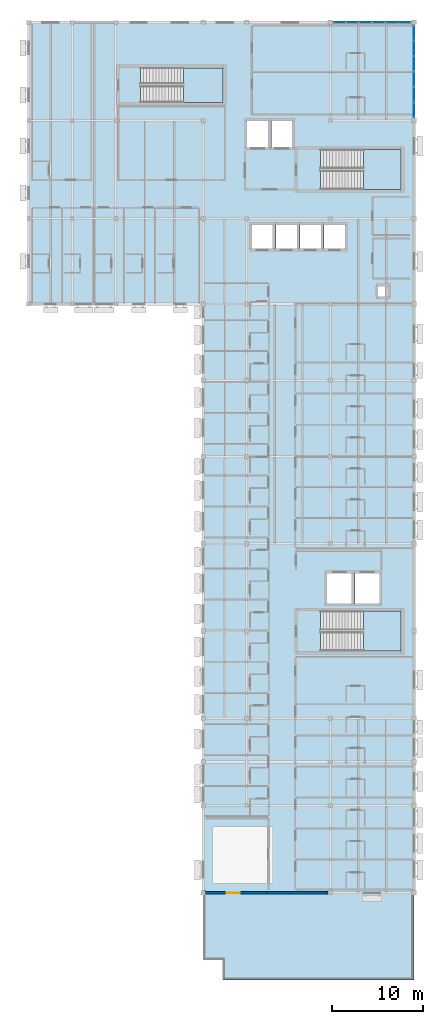
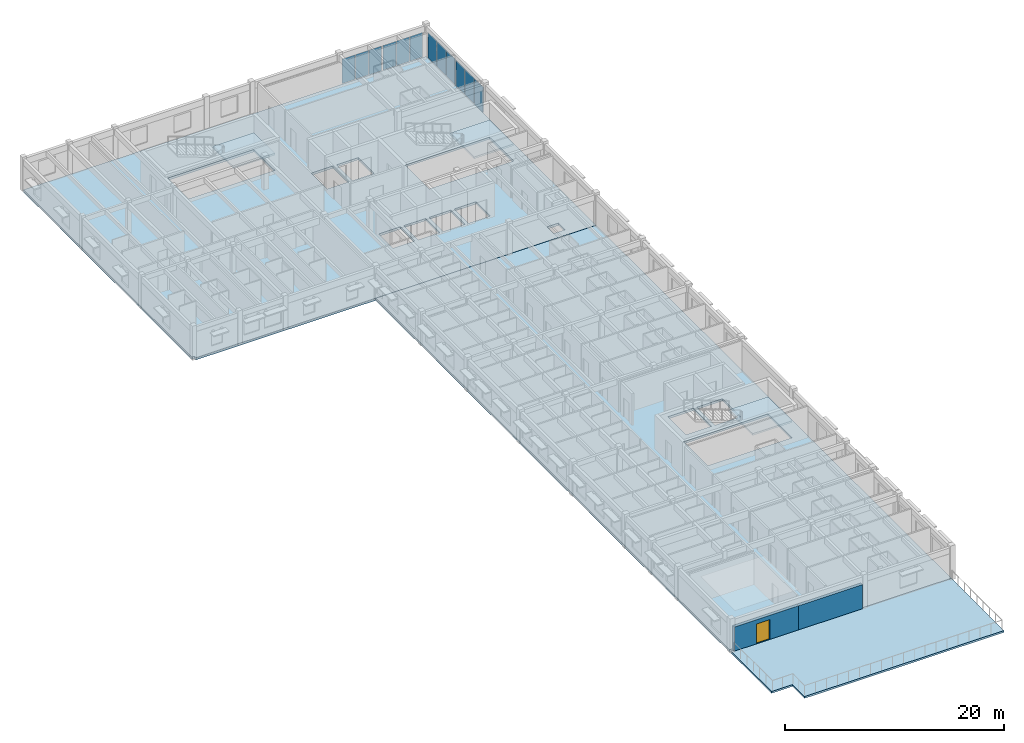
# One storey, part 6 of 22: 12 plates, 6 slabs, 2 walls, 1 door, 1 opening, 7 elements without a shape of their own.
"""IFC4 building model written with IfcOpenShell, lengths in metres."""

from ifc_helpers import new_model, si_unit, direction, frame, frame_2d, origin, origin_2d, place, context, subcontext, project, spatial, polyline, rectangle, outline, extrude, material, layer, layer_set, type_object, element, fill, aggregate, save


model = new_model("IFC4")

# Units and contexts
model_context = context("Model", 3, precision=1e-05, world=origin(), true_north=direction((0.0, 1.0)))
body_context = subcontext(model_context, "Body", "Model", "MODEL_VIEW")
ifc_project = project(units=[si_unit("LENGTHUNIT", "METRE"), si_unit("AREAUNIT", "SQUARE_METRE"), si_unit("VOLUMEUNIT", "CUBIC_METRE"), si_unit("PLANEANGLEUNIT", "RADIAN"), si_unit("MASSUNIT", "GRAM", prefix="KILO")], contexts=[model_context])

# Site, building, storey
site_placement = place(None, origin())
site = spatial("IfcSite", under=ifc_project, at=site_placement, CompositionType="ELEMENT")
building_placement = place(site_placement, origin())
building = spatial("IfcBuilding", under=site, at=building_placement, Name="Veldera Park Congress Hotel", CompositionType="ELEMENT")
storey_placement = place(building_placement, frame((0.0, 0.0, 23.800048828125)))
storey = spatial("IfcBuildingStorey", under=building, at=storey_placement, Name="L05", CompositionType="ELEMENT", Elevation=23.800048828125)

# Curtain wall, plates
ifc_material_1 = material(Name="Low-E Triple Insulating Glass Unit (SHGC 0.22)", Category="glass")
curtain_wall_type = type_object("IfcCurtainWallType", Name="CW-HTL", PredefinedType="NOTDEFINED", material=ifc_material_1)
curtain_wall_1_placement = place(storey_placement, origin())
curtain_wall_1 = element("IfcCurtainWall", 1, at=curtain_wall_1_placement, inside=storey, type_object=curtain_wall_type, Name="L05 Curtain Wall CW3-HTLNE-L05-104", PredefinedType="NOTDEFINED")
ifc_layer_1 = layer(ifc_material_1, 0.028076171875)
ifc_layer_set_1 = layer_set([ifc_layer_1], Name="Low-E Triple Insulating Glass Unit (SHGC 0.22)")
plate_type = type_object("IfcPlateType", Name="CWP-IGU28", PredefinedType="CURTAIN_PANEL", material=ifc_layer_set_1)
plate_1_placement = place(storey_placement, frame((84.0, 48.362548828125, 0.06005859375), z_axis=(0.0, 0.0, 1.0), x_axis=(0.0, 1.0, 0.0)))
plate_1 = element("IfcPlate", 2, at=plate_1_placement, type_object=plate_type, Name="CW-HTL panel 1.1", PredefinedType="CURTAIN_PANEL", context=body_context, shape_type="SweptSolid", body=[
    extrude(rectangle(XDim=1.60498046875, YDim=0.028076171875, at=origin_2d()), origin(), (0.0, 0.0, 1.0), 2.844970703125),
])
plate_2_placement = place(storey_placement, frame((84.0, 50.04248046875, 0.06005859375), z_axis=(0.0, 0.0, 1.0), x_axis=(0.0, 1.0, 0.0)))
plate_2 = element("IfcPlate", 3, at=plate_2_placement, type_object=plate_type, Name="CW-HTL panel 2.1", PredefinedType="CURTAIN_PANEL", context=body_context, shape_type="SweptSolid", body=[
    extrude(rectangle(XDim=1.635009765625, YDim=0.028076171875, at=origin_2d()), origin(), (0.0, 0.0, 1.0), 2.844970703125),
])
plate_3_placement = place(storey_placement, frame((84.0, 51.722412109375, 0.06005859375), z_axis=(0.0, 0.0, 1.0), x_axis=(0.0, 1.0, 0.0)))
plate_3 = element("IfcPlate", 4, at=plate_3_placement, type_object=plate_type, Name="CW-HTL panel 3.1", PredefinedType="CURTAIN_PANEL", context=body_context, shape_type="SweptSolid", body=[
    extrude(rectangle(XDim=1.60498046875, YDim=0.028076171875, at=origin_2d()), origin(), (0.0, 0.0, 1.0), 2.844970703125),
])
aggregate(curtain_wall_1, [plate_1, plate_2, plate_3])

curtain_wall_2_placement = place(storey_placement, origin())
curtain_wall_2 = element("IfcCurtainWall", 5, at=curtain_wall_2_placement, inside=storey, type_object=curtain_wall_type, Name="L05 Curtain Wall CW3-HTLNE-L05-105", PredefinedType="NOTDEFINED")
plate_4_placement = place(storey_placement, frame((84.0, 53.4775390625, 0.06005859375), z_axis=(0.0, 0.0, 1.0), x_axis=(0.0, 1.0, 0.0)))
plate_4 = element("IfcPlate", 6, at=plate_4_placement, type_object=plate_type, Name="CW-HTL panel 1.1", PredefinedType="CURTAIN_PANEL", context=body_context, shape_type="SweptSolid", body=[
    extrude(rectangle(XDim=1.60498046875, YDim=0.028076171875, at=origin_2d()), origin(), (0.0, 0.0, 1.0), 2.844970703125),
])
plate_5_placement = place(storey_placement, frame((84.0, 55.157470703125, 0.06005859375), z_axis=(0.0, 0.0, 1.0), x_axis=(0.0, 1.0, 0.0)))
plate_5 = element("IfcPlate", 7, at=plate_5_placement, type_object=plate_type, Name="CW-HTL panel 2.1", PredefinedType="CURTAIN_PANEL", context=body_context, shape_type="SweptSolid", body=[
    extrude(rectangle(XDim=1.635009765625, YDim=0.028076171875, at=origin_2d()), origin(), (0.0, 0.0, 1.0), 2.844970703125),
])
plate_6_placement = place(storey_placement, frame((84.0, 56.83740234375, 0.06005859375), z_axis=(0.0, 0.0, 1.0), x_axis=(0.0, 1.0, 0.0)))
plate_6 = element("IfcPlate", 8, at=plate_6_placement, type_object=plate_type, Name="CW-HTL panel 3.1", PredefinedType="CURTAIN_PANEL", context=body_context, shape_type="SweptSolid", body=[
    extrude(rectangle(XDim=1.60498046875, YDim=0.028076171875, at=origin_2d()), origin(), (0.0, 0.0, 1.0), 2.844970703125),
])
aggregate(curtain_wall_2, [plate_4, plate_5, plate_6])

curtain_wall_3_placement = place(storey_placement, origin())
curtain_wall_3 = element("IfcCurtainWall", 9, at=curtain_wall_3_placement, inside=storey, type_object=curtain_wall_type, Name="L05 Curtain Wall CW3-HTLNN-L05-106", PredefinedType="NOTDEFINED")
plate_7_placement = place(storey_placement, frame((82.970947265625, 58.0, 0.059814453125), z_axis=(0.0, 0.0, 1.0), x_axis=(-1.0, 0.0, 0.0)))
plate_7 = element("IfcPlate", 10, at=plate_7_placement, type_object=plate_type, Name="CW-HTL panel 1.1", PredefinedType="CURTAIN_PANEL", context=body_context, shape_type="SweptSolid", body=[
    extrude(rectangle(XDim=1.33837890625, YDim=0.028076171875, at=origin_2d()), origin(), (0.0, 0.0, 1.0), 2.7451171875),
])
plate_8_placement = place(storey_placement, frame((81.5576171875, 58.0, 0.059814453125), z_axis=(0.0, 0.0, 1.0), x_axis=(-1.0, 0.0, 0.0)))
plate_8 = element("IfcPlate", 11, at=plate_8_placement, type_object=plate_type, Name="CW-HTL panel 2.1", PredefinedType="CURTAIN_PANEL", context=body_context, shape_type="SweptSolid", body=[
    extrude(rectangle(XDim=1.368408203125, YDim=0.028076171875, at=origin_2d()), origin(), (0.0, 0.0, 1.0), 2.7451171875),
])
plate_9_placement = place(storey_placement, frame((80.144287109375, 58.0, 0.059814453125), z_axis=(0.0, 0.0, 1.0), x_axis=(-1.0, 0.0, 0.0)))
plate_9 = element("IfcPlate", 12, at=plate_9_placement, type_object=plate_type, Name="CW-HTL panel 3.1", PredefinedType="CURTAIN_PANEL", context=body_context, shape_type="SweptSolid", body=[
    extrude(rectangle(XDim=1.33837890625, YDim=0.028076171875, at=origin_2d()), origin(), (0.0, 0.0, 1.0), 2.7451171875),
])
aggregate(curtain_wall_3, [plate_7, plate_8, plate_9])

curtain_wall_4_placement = place(storey_placement, origin())
curtain_wall_4 = element("IfcCurtainWall", 13, at=curtain_wall_4_placement, inside=storey, type_object=curtain_wall_type, Name="L05 Curtain Wall CW3-HTLNN-L05-107", PredefinedType="NOTDEFINED")
plate_10_placement = place(storey_placement, frame((78.65576171875, 58.0, 0.059814453125), z_axis=(0.0, 0.0, 1.0), x_axis=(-1.0, 0.0, 0.0)))
plate_10 = element("IfcPlate", 14, at=plate_10_placement, type_object=plate_type, Name="CW-HTL panel 1.1", PredefinedType="CURTAIN_PANEL", context=body_context, shape_type="SweptSolid", body=[
    extrude(rectangle(XDim=1.33837890625, YDim=0.028076171875, at=origin_2d()), origin(), (0.0, 0.0, 1.0), 2.7451171875),
])
plate_11_placement = place(storey_placement, frame((77.242431640625, 58.0, 0.059814453125), z_axis=(0.0, 0.0, 1.0), x_axis=(-1.0, 0.0, 0.0)))
plate_11 = element("IfcPlate", 15, at=plate_11_placement, type_object=plate_type, Name="CW-HTL panel 2.1", PredefinedType="CURTAIN_PANEL", context=body_context, shape_type="SweptSolid", body=[
    extrude(rectangle(XDim=1.368408203125, YDim=0.028076171875, at=origin_2d()), origin(), (0.0, 0.0, 1.0), 2.7451171875),
])
plate_12_placement = place(storey_placement, frame((75.8291015625, 58.0, 0.059814453125), z_axis=(0.0, 0.0, 1.0), x_axis=(-1.0, 0.0, 0.0)))
plate_12 = element("IfcPlate", 16, at=plate_12_placement, type_object=plate_type, Name="CW-HTL panel 3.1", PredefinedType="CURTAIN_PANEL", context=body_context, shape_type="SweptSolid", body=[
    extrude(rectangle(XDim=1.33837890625, YDim=0.028076171875, at=origin_2d()), origin(), (0.0, 0.0, 1.0), 2.7451171875),
])
aggregate(curtain_wall_4, [plate_10, plate_11, plate_12])

# Slabs
ifc_material_2 = material(Name="Cross-laminated timber CLT V2M1.1", Category="wood")
ifc_layer_2 = layer(ifc_material_2, 0.25)
ifc_layer_set_2 = layer_set([ifc_layer_2], Name="Cross-laminated timber CLT V2M1.1")
slab_type_1 = type_object("IfcSlabType", Name="SLB-CLT250", PredefinedType="FLOOR", material=ifc_layer_set_2)
slab_1_placement = place(storey_placement, frame((0.0, 0.0, -0.25)))
element("IfcSlab", 17, at=slab_1_placement, inside=storey, type_object=slab_type_1, Name="L05 Hotel East Wing CLT Floor Deck SLB-L05-V4E", PredefinedType="FLOOR", context=body_context, shape_type="SweptSolid", body=[
    extrude(outline(polyline([(60.800048828125, -37.5400390625), (61.06005859375, -37.5400390625), (61.06005859375, -37.800048828125), (84.0, -37.800048828125), (84.0, 27.0), (60.800048828125, 27.0), (60.800048828125, -37.5400390625)]), holes=[polyline([(73.715087890625, -11.199951171875), (82.60009765625, -11.199951171875), (82.60009765625, -6.800048828125), (73.715087890625, -6.800048828125), (73.715087890625, -11.199951171875)]), polyline([(74.449951171875, -5.949951171875), (77.14990234375, -5.949951171875), (77.14990234375, -2.64990234375), (74.449951171875, -2.64990234375), (74.449951171875, -5.949951171875)]), polyline([(77.5, -5.949951171875), (80.199951171875, -5.949951171875), (80.199951171875, -2.64990234375), (77.5, -2.64990234375), (77.5, -5.949951171875)])]), origin(), (0.0, 0.0, 1.0), 0.25),
])
slab_2_placement = place(storey_placement, frame((0.0, 0.0, -0.25)))
element("IfcSlab", 18, at=slab_2_placement, inside=storey, type_object=slab_type_1, Name="L05 Hotel North Wing CLT Floor Deck SLB-L05-V4N", PredefinedType="FLOOR", context=body_context, shape_type="SweptSolid", body=[
    extrude(outline(polyline([(41.60009765625, 27.260009765625), (41.860107421875, 27.260009765625), (41.860107421875, 27.0), (84.0, 27.0), (84.0, 58.0), (41.60009765625, 58.0), (41.60009765625, 27.260009765625)]), holes=[polyline([(73.715087890625, 39.60009765625), (82.60009765625, 39.60009765625), (82.60009765625, 44.0), (73.715087890625, 44.0), (73.715087890625, 39.60009765625)]), polyline([(53.9150390625, 49.199951171875), (63.0, 49.199951171875), (63.0, 53.0), (53.9150390625, 53.0), (53.9150390625, 49.199951171875)]), polyline([(65.64990234375, 44.25), (67.949951171875, 44.25), (67.949951171875, 47.14990234375), (65.64990234375, 47.14990234375), (65.64990234375, 44.25)]), polyline([(68.300048828125, 44.25), (70.60009765625, 44.25), (70.60009765625, 47.14990234375), (68.300048828125, 47.14990234375), (68.300048828125, 44.25)]), polyline([(66.14990234375, 33.10009765625), (68.449951171875, 33.10009765625), (68.449951171875, 35.699951171875), (66.14990234375, 35.699951171875), (66.14990234375, 33.10009765625)]), polyline([(68.800048828125, 33.10009765625), (71.10009765625, 33.10009765625), (71.10009765625, 35.699951171875), (68.800048828125, 35.699951171875), (68.800048828125, 33.10009765625)]), polyline([(71.449951171875, 33.10009765625), (73.75, 33.10009765625), (73.75, 35.699951171875), (71.449951171875, 35.699951171875), (71.449951171875, 33.10009765625)]), polyline([(74.10009765625, 33.10009765625), (76.39990234375, 33.10009765625), (76.39990234375, 35.699951171875), (74.10009765625, 35.699951171875), (74.10009765625, 33.10009765625)]), polyline([(80.0, 27.800048828125), (81.199951171875, 27.800048828125), (81.199951171875, 29.0), (80.0, 29.0), (80.0, 27.800048828125)])]), origin(), (0.0, 0.0, 1.0), 0.25),
])
ifc_material_3 = material(Name="Concrete f'c 40 MPa (5,800 psi)", Category="concrete")
ifc_layer_3 = layer(ifc_material_3, 0.2099609375)
ifc_layer_set_3 = layer_set([ifc_layer_3], Name="Concrete f'c 40 MPa (5,800 psi)")
slab_type_2 = type_object("IfcSlabType", Name="SLB-TER210", PredefinedType="FLOOR", material=ifc_layer_set_3)
slab_3_placement = place(storey_placement, frame((0.0, 0.0, -0.2099609375)))
element("IfcSlab", 19, at=slab_3_placement, inside=storey, type_object=slab_type_2, Name="L05 Stepped Hotel Terrace SLB-TER-L05-S", PredefinedType="FLOOR", context=body_context, shape_type="SweptSolid", body=[
    extrude(outline(polyline([(60.800048828125, -45.199951171875), (63.0, -45.199951171875), (63.0, -47.39990234375), (84.0, -47.39990234375), (84.0, -37.800048828125), (60.800048828125, -37.800048828125), (60.800048828125, -45.199951171875)])), origin(), (0.0, 0.0, 1.0), 0.2099609375),
])

# Stair, slab
stair_type_1 = type_object("IfcStairType", Name="ST1", PredefinedType="HALF_TURN_STAIR", material=ifc_material_3)
stair_1_placement = place(storey_placement, origin())
stair_1 = element("IfcStair", 20, at=stair_1_placement, inside=storey, type_object=stair_type_1, Name="L05 Protected Exit Stair ST1", PredefinedType="HALF_TURN_STAIR")
ifc_layer_4 = layer(ifc_material_3, 0.199951171875)
ifc_layer_set_4 = layer_set([ifc_layer_4], Name="Concrete f'c 40 MPa (5,800 psi)")
slab_type_3 = type_object("IfcSlabType", Name="SLD-ST1", PredefinedType="LANDING", material=ifc_layer_set_4)
slab_4_placement = place(storey_placement, frame((0.0, 0.0, 1.699951171875)))
slab_4 = element("IfcSlab", 21, at=slab_4_placement, type_object=slab_type_3, Name="ST1 landing 1", PredefinedType="LANDING", context=body_context, shape_type="SweptSolid", body=[
    extrude(outline(polyline([(78.445068359375, 39.60009765625), (82.60009765625, 39.60009765625), (82.60009765625, 44.0), (78.445068359375, 44.0), (78.445068359375, 39.60009765625)])), origin(), (0.0, 0.0, 1.0), 0.199951171875),
])
aggregate(stair_1, [slab_4])

stair_type_2 = type_object("IfcStairType", Name="ST2", PredefinedType="HALF_TURN_STAIR", material=ifc_material_3)
stair_2_placement = place(storey_placement, origin())
stair_2 = element("IfcStair", 22, at=stair_2_placement, inside=storey, type_object=stair_type_2, Name="L05 Protected Exit Stair ST2", PredefinedType="HALF_TURN_STAIR")
ifc_layer_5 = layer(ifc_material_3, 0.199951171875)
ifc_layer_set_5 = layer_set([ifc_layer_5], Name="Concrete f'c 40 MPa (5,800 psi)")
slab_type_4 = type_object("IfcSlabType", Name="SLD-ST2", PredefinedType="LANDING", material=ifc_layer_set_5)
slab_5_placement = place(storey_placement, frame((0.0, 0.0, 1.699951171875)))
slab_5 = element("IfcSlab", 23, at=slab_5_placement, type_object=slab_type_4, Name="ST2 landing 1", PredefinedType="LANDING", context=body_context, shape_type="SweptSolid", body=[
    extrude(outline(polyline([(78.445068359375, -11.199951171875), (82.60009765625, -11.199951171875), (82.60009765625, -6.800048828125), (78.445068359375, -6.800048828125), (78.445068359375, -11.199951171875)])), origin(), (0.0, 0.0, 1.0), 0.199951171875),
])
aggregate(stair_2, [slab_5])

stair_type_3 = type_object("IfcStairType", Name="ST3", PredefinedType="HALF_TURN_STAIR", material=ifc_material_3)
stair_3_placement = place(storey_placement, origin())
stair_3 = element("IfcStair", 24, at=stair_3_placement, inside=storey, type_object=stair_type_3, Name="L05 Protected Exit Stair ST3", PredefinedType="HALF_TURN_STAIR")
ifc_layer_6 = layer(ifc_material_3, 0.199951171875)
ifc_layer_set_6 = layer_set([ifc_layer_6], Name="Concrete f'c 40 MPa (5,800 psi)")
slab_type_5 = type_object("IfcSlabType", Name="SLD-ST3", PredefinedType="LANDING", material=ifc_layer_set_6)
slab_6_placement = place(storey_placement, frame((0.0, 0.0, 1.699951171875)))
slab_6 = element("IfcSlab", 25, at=slab_6_placement, type_object=slab_type_5, Name="ST3 landing 1", PredefinedType="LANDING", context=body_context, shape_type="SweptSolid", body=[
    extrude(outline(polyline([(58.64501953125, 49.199951171875), (63.0, 49.199951171875), (63.0, 53.0), (58.64501953125, 53.0), (58.64501953125, 49.199951171875)])), origin(), (0.0, 0.0, 1.0), 0.199951171875),
])
aggregate(stair_3, [slab_6])

# Wall, opening, door
ifc_layer_7 = layer(ifc_material_2, 0.300048828125)
ifc_layer_set_7 = layer_set([ifc_layer_7], Name="Cross-laminated timber CLT V2M1.1")
wall_type = type_object("IfcWallType", Name="EW-CLT300", PredefinedType="STANDARD", material=ifc_layer_set_7)
wall_1_placement = place(storey_placement, frame((61.05810546875, -37.800048828125, 0.0), z_axis=(0.0, 0.0, 1.0), x_axis=(1.0, 0.0, 0.0)))
wall_1 = element("IfcWall", 26, at=wall_1_placement, inside=storey, type_object=wall_type, Name="L05 Exterior Wall EW3-L05-0276", PredefinedType="STANDARD", context=body_context, shape_type="SweptSolid", body=[
    extrude(rectangle(XDim=6.75390625, YDim=0.300048828125, at=frame_2d((3.376953125, 0.0))), origin(), (0.0, 0.0, 1.0), 2.68505859375),
])
opening_placement = place(wall_1_placement, frame((2.342041015625, 0.0, 0.0)))
opening = element("IfcOpeningElement", 27, at=opening_placement, cuts=wall_1, Name="Opening ED-TER140", PredefinedType="OPENING", context=body_context, shape_type="SweptSolid", body=[
    extrude(rectangle(XDim=1.39990234375, YDim=2.199951171875, at=frame_2d((0.699951171875, 1.10009765625))), frame((0.0, 0.162109375, 0.0), z_axis=(0.0, -1.0, 0.0), x_axis=(1.0, 0.0, 0.0)), (0.0, 0.0, 1.0), 0.323974609375),
])
ifc_material_4 = material(Name="Anodised Aluminium Alloy 6063-T6", Category="aluminium")
door_type = type_object("IfcDoorType", Name="ED-TER140", OperationType="DOUBLE_DOOR_SINGLE_SWING", PredefinedType="DOOR", material=ifc_material_4)
door_placement = place(opening_placement, frame((1.39990234375, 0.0, 0.0), z_axis=(0.0, 0.0, 1.0), x_axis=(-1.0, 0.0, 0.0)))
door = element("IfcDoor", 28, at=door_placement, inside=storey, type_object=door_type, Name="Exterior Door TD-L05-S (DR3-EXT-L05-0025)", OperationType="DOUBLE_DOOR_SINGLE_SWING", OverallHeight=2.199951171875, OverallWidth=1.39990234375, PredefinedType="DOOR", context=body_context, shape_type="SweptSolid", body=[
    extrude(rectangle(XDim=1.39990234375, YDim=2.199951171875, at=frame_2d((0.699951171875, 1.10009765625))), frame((0.0, 0.02490234375, 0.0), z_axis=(0.0, -1.0, 0.0), x_axis=(1.0, 0.0, 0.0)), (0.0, 0.0, 1.0), 0.050048828125),
])
fill(opening, door)

# Wall
wall_2_placement = place(storey_placement, frame((67.80810546875, -37.800048828125, 0.0), z_axis=(0.0, 0.0, 1.0), x_axis=(1.0, 0.0, 0.0)))
element("IfcWall", 29, at=wall_2_placement, inside=storey, type_object=wall_type, Name="L05 Exterior Wall EW3-L05-0277", PredefinedType="STANDARD", context=body_context, shape_type="SweptSolid", body=[
    extrude(rectangle(XDim=6.75390625, YDim=0.300048828125, at=frame_2d((3.376953125, 0.0))), origin(), (0.0, 0.0, 1.0), 2.68505859375),
])

save(model, "model.ifc")
